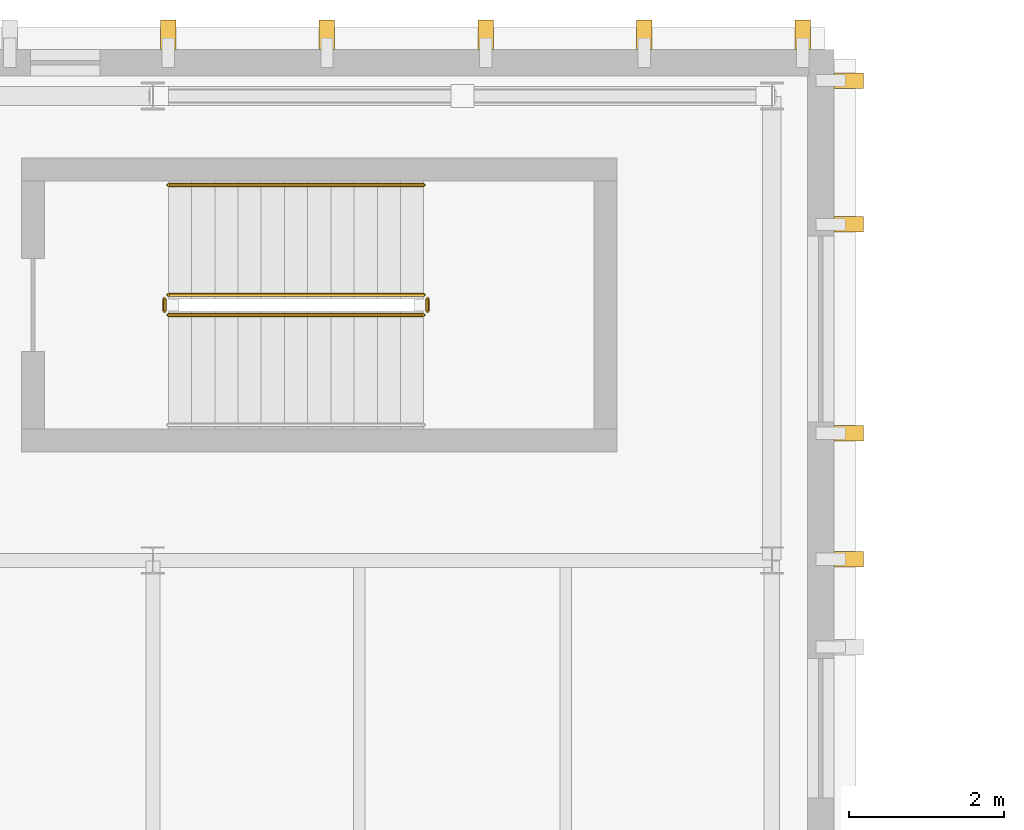
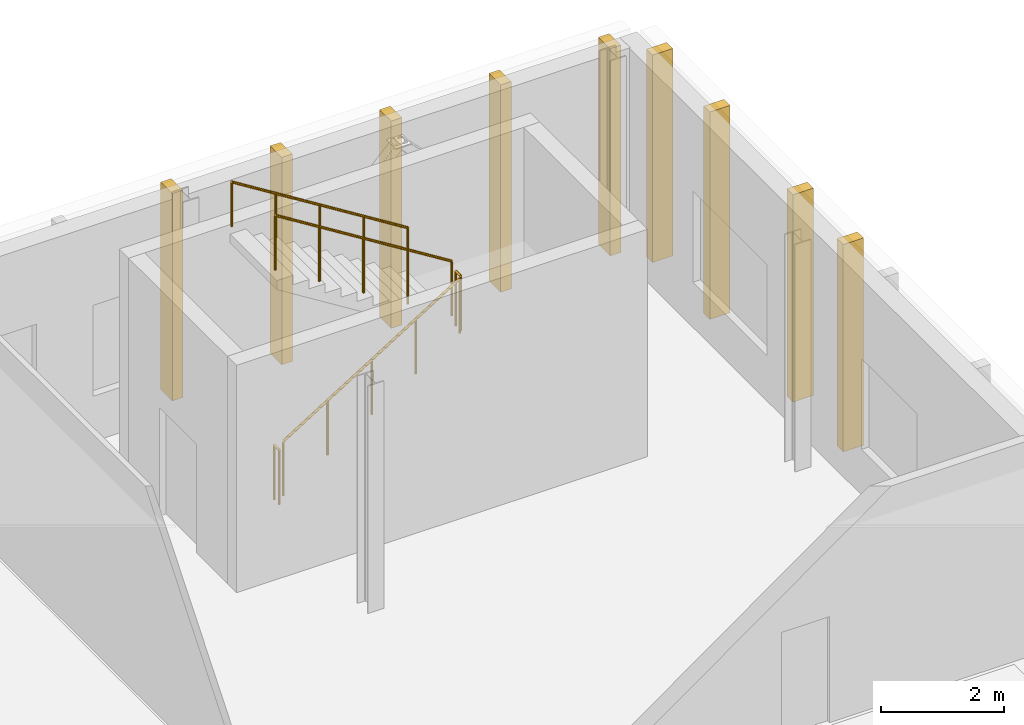
# One storey, part 59 of 62: 9 coverings, 5 railings.
"""IFC4 building model written with IfcOpenShell, lengths in metres."""

from ifc_helpers import new_model, si_unit, direction, frame, origin, origin_2d, place, context, subcontext, project, spatial, rectangle, circle, extrude, material, layer, layer_set, type_object, element, save


model = new_model("IFC4")

# Units and contexts
model_context = context("Model", 3, precision=1e-05, world=origin(), true_north=direction((0.0, 1.0)))
body_context = subcontext(model_context, "Body", "Model", "MODEL_VIEW")
ifc_project = project(units=[si_unit("LENGTHUNIT", "METRE"), si_unit("AREAUNIT", "SQUARE_METRE"), si_unit("VOLUMEUNIT", "CUBIC_METRE"), si_unit("PLANEANGLEUNIT", "RADIAN"), si_unit("MASSUNIT", "GRAM", prefix="KILO")], contexts=[model_context])

# Site, building, storey
site_placement = place(None, origin())
site = spatial("IfcSite", under=ifc_project, at=site_placement, CompositionType="ELEMENT")
building_placement = place(site_placement, origin())
building = spatial("IfcBuilding", under=site, at=building_placement, Name="Cymarion Research Institute", CompositionType="ELEMENT")
storey_placement = place(building_placement, frame((0.0, 0.0, 18.300048828125)))
storey = spatial("IfcBuildingStorey", under=building, at=storey_placement, Name="L04", CompositionType="ELEMENT", Elevation=18.300048828125)

# Railings
ifc_material_1 = material(Name="Steel S355", Category="steel")
railing_type_1 = type_object("IfcRailingType", Name="PAINTED STEEL STAIR GUARDRAIL GR1 1100MM", PredefinedType="GUARDRAIL", material=ifc_material_1)
railing_1_placement = place(storey_placement, frame((38.800048828125, 112.669921875, 0.1875)))
element("IfcRailing", 1, at=railing_1_placement, inside=storey, type_object=railing_type_1, Name="L04 ST10 stair guard 1", PredefinedType="GUARDRAIL", context=body_context, shape_type="SweptSolid", body=[
    extrude(circle(Radius=0.02392578125, at=origin_2d()), frame((0.0, 0.0, 1.076171875), z_axis=(0.848001828478, 0.0, 0.529993300805), x_axis=(0.0, 1.0, 0.0)), (0.0, 0.0, 1.0), 3.8916015625),
    extrude(circle(Radius=0.02099609375, at=origin_2d()), origin(), (0.0, 0.0, 1.0), 1.052001953125),
    extrude(circle(Radius=0.02099609375, at=origin_2d()), frame((0.824951171875, 0.0, 0.515625)), (0.0, 0.0, 1.0), 1.052001953125),
    extrude(circle(Radius=0.02099609375, at=origin_2d()), frame((1.64990234375, 0.0, 1.03125)), (0.0, 0.0, 1.0), 1.052001953125),
    extrude(circle(Radius=0.02099609375, at=origin_2d()), frame((2.47509765625, 0.0, 1.546875)), (0.0, 0.0, 1.0), 1.052001953125),
    extrude(circle(Radius=0.02099609375, at=origin_2d()), frame((3.300048828125, 0.0, 2.0625)), (0.0, 0.0, 1.0), 1.052001953125),
])
railing_2_placement = place(storey_placement, frame((42.14990234375, 112.719970703125, 2.25)))
element("IfcRailing", 2, at=railing_2_placement, inside=storey, type_object=railing_type_1, Name="L04 ST10 stair guard 2", PredefinedType="GUARDRAIL", context=body_context, shape_type="SweptSolid", body=[
    extrude(circle(Radius=0.02392578125, at=origin_2d()), frame((0.0, 0.0, 1.076171875), z_axis=(0.0, 1.0, 0.0), x_axis=(-1.0, 0.0, 0.0)), (0.0, 0.0, 1.0), 0.159912109375),
    extrude(circle(Radius=0.02099609375, at=origin_2d()), origin(), (0.0, 0.0, 1.0), 1.052001953125),
    extrude(circle(Radius=0.02099609375, at=origin_2d()), frame((0.0, 0.159912109375, 0.0)), (0.0, 0.0, 1.0), 1.052001953125),
])
railing_3_placement = place(storey_placement, frame((42.10009765625, 112.929931640625, 2.4375)))
element("IfcRailing", 3, at=railing_3_placement, inside=storey, type_object=railing_type_1, Name="L04 ST10 stair guard 3", PredefinedType="GUARDRAIL", context=body_context, shape_type="SweptSolid", body=[
    extrude(circle(Radius=0.02392578125, at=origin_2d()), frame((0.0, 0.0, 1.076171875), z_axis=(-0.848001828478, 0.0, 0.529993300805), x_axis=(0.0, -1.0, 0.0)), (0.0, 0.0, 1.0), 3.8916015625),
    extrude(circle(Radius=0.02099609375, at=origin_2d()), origin(), (0.0, 0.0, 1.0), 1.052001953125),
    extrude(circle(Radius=0.02099609375, at=origin_2d()), frame((-0.824951171875, 0.0, 0.515625)), (0.0, 0.0, 1.0), 1.052001953125),
    extrude(circle(Radius=0.02099609375, at=origin_2d()), frame((-1.64990234375, 0.0, 1.03125)), (0.0, 0.0, 1.0), 1.052001953125),
    extrude(circle(Radius=0.02099609375, at=origin_2d()), frame((-2.47509765625, 0.0, 1.546875)), (0.0, 0.0, 1.0), 1.052001953125),
    extrude(circle(Radius=0.02099609375, at=origin_2d()), frame((-3.300048828125, 0.0, 2.0625)), (0.0, 0.0, 1.0), 1.052001953125),
])
railing_4_placement = place(storey_placement, frame((38.75, 112.719970703125, 0.0)))
element("IfcRailing", 4, at=railing_4_placement, inside=storey, type_object=railing_type_1, Name="L04 ST10 stair guard 4", PredefinedType="GUARDRAIL", context=body_context, shape_type="SweptSolid", body=[
    extrude(circle(Radius=0.02392578125, at=origin_2d()), frame((0.0, 0.0, 1.076171875), z_axis=(0.0, 1.0, 0.0), x_axis=(-1.0, 0.0, 0.0)), (0.0, 0.0, 1.0), 0.159912109375),
    extrude(circle(Radius=0.02099609375, at=origin_2d()), origin(), (0.0, 0.0, 1.0), 1.052001953125),
    extrude(circle(Radius=0.02099609375, at=origin_2d()), frame((0.0, 0.159912109375, 0.0)), (0.0, 0.0, 1.0), 1.052001953125),
])

# Coverings
ifc_material_2 = material(Name="Precast concrete C45/55 architectural white", Category="concrete")
ifc_layer = layer(ifc_material_2, 0.199951171875)
ifc_layer_set = layer_set([ifc_layer], Name="Precast concrete C45/55 architectural white")
covering_type = type_object("IfcCoveringType", Name="SCULPTURAL WHITE PRECAST CONCRETE VERTICAL RIB RIB1 380X200", PredefinedType="CLADDING", material=ifc_layer_set)
for number, where, z_axis, x_axis, name in (
    (5, (47.592041015625, 109.515380859375, 0.010009765625), (0.0, 0.0, 1.0), (1.0, 0.0, 0.0), "L04 V5 sculptural precast vertical rib RIB1 #932"),
    (6, (47.592041015625, 111.139892578125, 0.010009765625), (0.0, 0.0, 1.0), (1.0, 0.0, 0.0), "L04 V5 sculptural precast vertical rib RIB1 #933"),
    (7, (47.592041015625, 113.83984375, 0.010009765625), (0.0, 0.0, 1.0), (1.0, 0.0, 0.0), "L04 V5 sculptural precast vertical rib RIB1 #934"),
    (8, (47.592041015625, 115.699951171875, 0.010009765625), (0.0, 0.0, 1.0), (1.0, 0.0, 0.0), "L04 V5 sculptural precast vertical rib RIB1 #935"),
    (9, (47.0, 116.2919921875, 0.010009765625), (0.0, 0.0, 1.0), (0.0, 1.0, 0.0), "L04 V5 sculptural precast vertical rib RIB1 #937"),
    (10, (44.949951171875, 116.2919921875, 0.010009765625), (0.0, 0.0, 1.0), (0.0, 1.0, 0.0), "L04 V5 sculptural precast vertical rib RIB1 #938"),
    (11, (42.89990234375, 116.2919921875, 0.010009765625), (0.0, 0.0, 1.0), (0.0, 1.0, 0.0), "L04 V5 sculptural precast vertical rib RIB1 #939"),
    (12, (40.85009765625, 116.2919921875, 0.010009765625), (0.0, 0.0, 1.0), (0.0, 1.0, 0.0), "L04 V5 sculptural precast vertical rib RIB1 #940"),
    (13, (38.800048828125, 116.2919921875, 0.010009765625), (0.0, 0.0, 1.0), (0.0, 1.0, 0.0), "L04 V5 sculptural precast vertical rib RIB1 #941"),
):
    element("IfcCovering", number, at=place(storey_placement, frame(where, z_axis=z_axis, x_axis=x_axis)), inside=storey, type_object=covering_type, Name=name, PredefinedType="CLADDING", context=body_context, shape_type="SweptSolid", body=[
        extrude(rectangle(XDim=0.3798828125, YDim=0.199951171875, at=origin_2d()), origin(), (0.0, 0.0, 1.0), 4.10498046875),
    ])

# Railing
railing_type_2 = type_object("IfcRailingType", Name="STAINLESS STEEL STAIR HANDRAIL HR1 900MM", PredefinedType="HANDRAIL", material=ifc_material_1)
railing_5_placement = place(storey_placement, frame((42.10009765625, 114.35009765625, 2.4375)))
element("IfcRailing", 14, at=railing_5_placement, inside=storey, type_object=railing_type_2, Name="L04 ST10 stair handrail 2", PredefinedType="HANDRAIL", context=body_context, shape_type="SweptSolid", body=[
    extrude(circle(Radius=0.02392578125, at=origin_2d()), frame((0.0, 0.0, 0.8759765625), z_axis=(-0.848001828478, 0.0, 0.529993300805), x_axis=(0.0, -1.0, 0.0)), (0.0, 0.0, 1.0), 3.8916015625),
    extrude(circle(Radius=0.02099609375, at=origin_2d()), origin(), (0.0, 0.0, 1.0), 0.851806640625),
    extrude(circle(Radius=0.02099609375, at=origin_2d()), frame((-0.824951171875, 0.0, 0.515625)), (0.0, 0.0, 1.0), 0.851806640625),
    extrude(circle(Radius=0.02099609375, at=origin_2d()), frame((-1.64990234375, 0.0, 1.03125)), (0.0, 0.0, 1.0), 0.851806640625),
    extrude(circle(Radius=0.02099609375, at=origin_2d()), frame((-2.47509765625, 0.0, 1.546875)), (0.0, 0.0, 1.0), 0.851806640625),
    extrude(circle(Radius=0.02099609375, at=origin_2d()), frame((-3.300048828125, 0.0, 2.0625)), (0.0, 0.0, 1.0), 0.851806640625),
])

save(model, "model.ifc")
